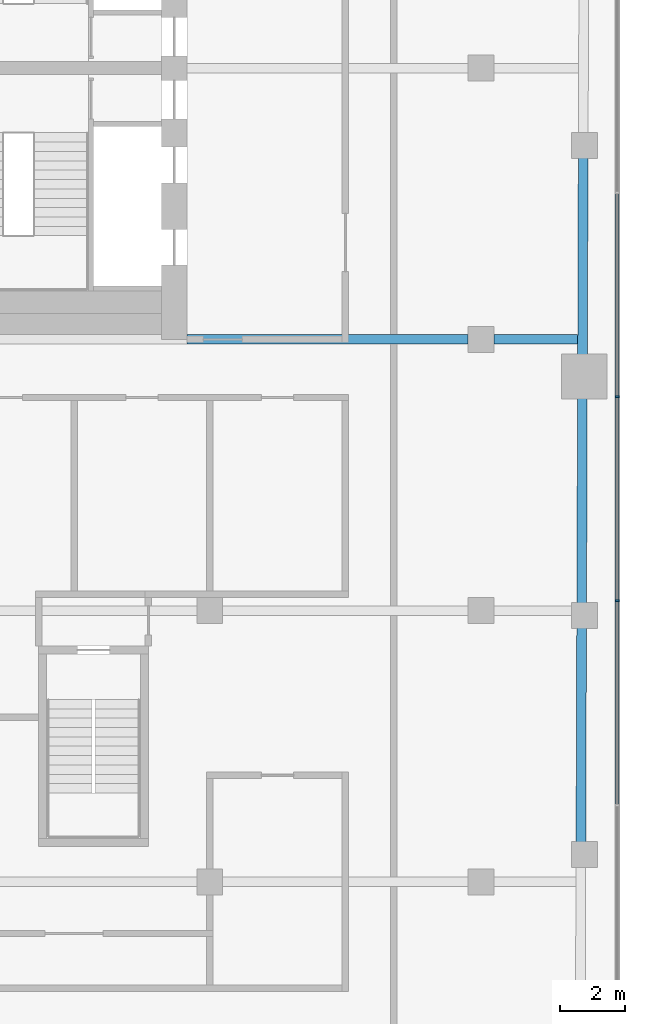
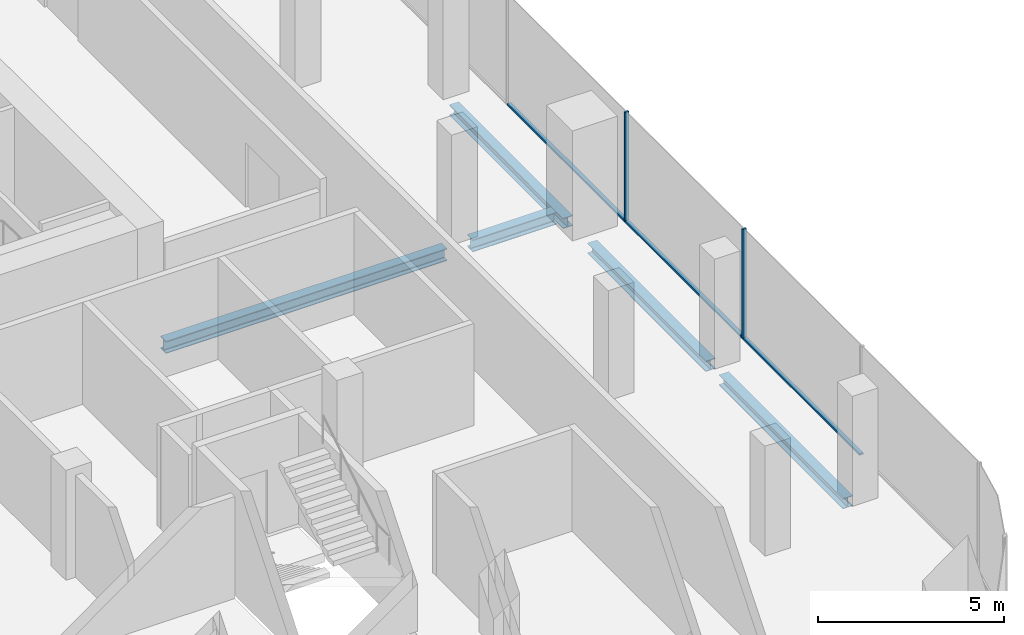
# One storey, part 7 of 20: 5 beams, 5 members, 1 element without a shape of its own.
"""IFC4 building model written with IfcOpenShell, lengths in metres."""

from ifc_helpers import new_model, si_unit, direction, frame, origin, origin_2d, place, context, subcontext, project, spatial, rectangle, i_section, extrude, material, layer, layer_set, material_profile, profile_set, type_object, element, aggregate, save


model = new_model("IFC4")

# Units and contexts
model_context = context("Model", 3, precision=1e-05, world=origin(), true_north=direction((0.0, 1.0)))
body_context = subcontext(model_context, "Body", "Model", "MODEL_VIEW")
ifc_project = project(units=[si_unit("LENGTHUNIT", "METRE"), si_unit("AREAUNIT", "SQUARE_METRE"), si_unit("VOLUMEUNIT", "CUBIC_METRE"), si_unit("PLANEANGLEUNIT", "RADIAN"), si_unit("MASSUNIT", "GRAM", prefix="KILO")], contexts=[model_context])

# Site, building, storey
site_placement = place(None, origin())
site = spatial("IfcSite", under=ifc_project, at=site_placement, CompositionType="ELEMENT")
building_placement = place(site_placement, origin())
building = spatial("IfcBuilding", under=site, at=building_placement, Name="Marenta Gate Hotel Tower", CompositionType="ELEMENT")
storey_placement = place(building_placement, frame((0.0, 0.0, 216.5)))
storey = spatial("IfcBuildingStorey", under=building, at=storey_placement, Name="L50", CompositionType="ELEMENT", Elevation=216.5)

# Beams
ifc_material_1 = material(Name="Steel S355", Category="steel")
ifc_material_profile_1 = material_profile(ifc_material_1, i_section(OverallWidth=0.300048828125, OverallDepth=0.340087890625, WebThickness=0.011962890625, FlangeThickness=0.021484375, FilletRadius=0.027099609375, at=origin_2d()), Name="HEB 340")
ifc_profile_set_1 = profile_set([ifc_material_profile_1], Name="Steel S355")
beam_type_1 = type_object("IfcBeamType", Name="Edge beam HEB 340", PredefinedType="SPANDREL", material=ifc_profile_set_1)
beam_1_placement = place(storey_placement, frame((24.164306640625, 5.643310546875, -0.429931640625), z_axis=(-0.003303859048, -0.999994542243, 0.0), x_axis=(0.999994542243, -0.003303859048, 0.0)))
element("IfcBeam", 1, at=beam_1_placement, inside=storey, type_object=beam_type_1, Name="L50-EB-24", PredefinedType="SPANDREL", context=body_context, shape_type="SweptSolid", body=[
    extrude(i_section(OverallWidth=0.300048828125, OverallDepth=0.340087890625, WebThickness=0.011962890625, FlangeThickness=0.021484375, FilletRadius=0.027099609375, at=origin_2d()), origin(), (0.0, 0.0, 1.0), 6.13330078125),
])
beam_2_placement = place(storey_placement, frame((24.1396484375, -1.81005859375, -0.429931640625), z_axis=(-0.003328723523, -0.999994459785, 0.0), x_axis=(0.999994459785, -0.003328723523, 0.0)))
element("IfcBeam", 2, at=beam_2_placement, inside=storey, type_object=beam_type_1, Name="L50-EB-25", PredefinedType="SPANDREL", context=body_context, shape_type="SweptSolid", body=[
    extrude(i_section(OverallWidth=0.300048828125, OverallDepth=0.340087890625, WebThickness=0.011962890625, FlangeThickness=0.021484375, FilletRadius=0.027099609375, at=origin_2d()), origin(), (0.0, 0.0, 1.0), 6.380859375),
])
beam_3_placement = place(storey_placement, frame((24.115966796875, -8.910888671875, -0.429931640625), z_axis=(-0.00332539729, -0.999994470851, 0.0), x_axis=(0.999994470851, -0.00332539729, 0.0)))
element("IfcBeam", 3, at=beam_3_placement, inside=storey, type_object=beam_type_1, Name="L50-EB-26", PredefinedType="SPANDREL", context=body_context, shape_type="SweptSolid", body=[
    extrude(i_section(OverallWidth=0.300048828125, OverallDepth=0.340087890625, WebThickness=0.011962890625, FlangeThickness=0.021484375, FilletRadius=0.027099609375, at=origin_2d()), origin(), (0.0, 0.0, 1.0), 6.680908203125),
])
ifc_material_2 = material(Name="Steel S355", Category="steel")
ifc_material_profile_2 = material_profile(ifc_material_2, i_section(OverallWidth=0.300048828125, OverallDepth=0.39990234375, WebThickness=0.013427734375, FlangeThickness=0.02392578125, FilletRadius=0.027099609375, at=origin_2d()), Name="HEB 400")
ifc_profile_set_2 = profile_set([ifc_material_profile_2], Name="Steel S355")
beam_type_2 = type_object("IfcBeamType", Name="Girder HEB 400", PredefinedType="BEAM", material=ifc_profile_set_2)
beam_4_placement = place(storey_placement, frame((11.89990234375, 0.0, -0.4599609375), z_axis=(1.0, 0.0, 0.0), x_axis=(0.0, 1.0, 0.0)))
element("IfcBeam", 4, at=beam_4_placement, inside=storey, type_object=beam_type_2, Name="L50-GD-23", PredefinedType="BEAM", context=body_context, shape_type="SweptSolid", body=[
    extrude(i_section(OverallWidth=0.300048828125, OverallDepth=0.39990234375, WebThickness=0.013427734375, FlangeThickness=0.02392578125, FilletRadius=0.027099609375, at=origin_2d()), origin(), (0.0, 0.0, 1.0), 8.7001953125),
])
beam_5_placement = place(storey_placement, frame((21.39990234375, 0.0, -0.4599609375), z_axis=(1.0, 0.0, 0.0), x_axis=(0.0, 1.0, 0.0)))
element("IfcBeam", 5, at=beam_5_placement, inside=storey, type_object=beam_type_2, Name="L50-GD-24", PredefinedType="BEAM", context=body_context, shape_type="SweptSolid", body=[
    extrude(i_section(OverallWidth=0.300048828125, OverallDepth=0.39990234375, WebThickness=0.013427734375, FlangeThickness=0.02392578125, FilletRadius=0.027099609375, at=origin_2d()), origin(), (0.0, 0.0, 1.0), 2.595703125),
])

# Curtain wall, members
ifc_material_3 = material(Name="Tinted insulated glass in bronze anodised frame", Category="glass")
ifc_layer = layer(ifc_material_3, 0.1201171875)
ifc_layer_set = layer_set([ifc_layer], Name="Tinted insulated glass in bronze anodised frame")
curtain_wall_type = type_object("IfcCurtainWallType", Name="Tower unitised curtain wall CW1", PredefinedType="NOTDEFINED", material=ifc_layer_set)
curtain_wall_placement = place(storey_placement, origin())
curtain_wall = element("IfcCurtainWall", 6, at=curtain_wall_placement, inside=storey, type_object=curtain_wall_type, Name="CW1 run G11", PredefinedType="NOTDEFINED")
ifc_material_4 = material(Name="Bronze anodised aluminium", Category="aluminium")
ifc_material_profile_3 = material_profile(ifc_material_4, rectangle(XDim=0.1201171875, YDim=0.06005859375, at=origin_2d()), Name="Mullion CW1 60x120 bronze anodised aluminium")
ifc_profile_set_3 = profile_set([ifc_material_profile_3], Name="Bronze anodised aluminium")
member_type_1 = type_object("IfcMemberType", Name="Mullion CW1 60x120 bronze anodised aluminium", PredefinedType="MULLION", material=ifc_profile_set_3)
member_1_placement = place(storey_placement, frame((25.214111328125, -8.0986328125, 0.0), z_axis=(0.0, 0.0, 1.0), x_axis=(-1.0, 0.0, 0.0)))
member_1 = element("IfcMember", 7, at=member_1_placement, type_object=member_type_1, Name="CW1 mullion 3", PredefinedType="MULLION", context=body_context, shape_type="SweptSolid", body=[
    extrude(rectangle(XDim=0.1201171875, YDim=0.06005859375, at=origin_2d()), origin(), (0.0, 0.0, 1.0), 3.60009765625),
])
member_2_placement = place(storey_placement, frame((25.214111328125, -1.77587890625, 0.0), z_axis=(0.0, 0.0, 1.0), x_axis=(-1.0, 0.0, 0.0)))
member_2 = element("IfcMember", 8, at=member_2_placement, type_object=member_type_1, Name="CW1 mullion 4", PredefinedType="MULLION", context=body_context, shape_type="SweptSolid", body=[
    extrude(rectangle(XDim=0.1201171875, YDim=0.06005859375, at=origin_2d()), origin(), (0.0, 0.0, 1.0), 3.60009765625),
])
ifc_material_5 = material(Name="Bronze anodised aluminium", Category="aluminium")
ifc_material_profile_4 = material_profile(ifc_material_5, rectangle(XDim=0.1201171875, YDim=0.06005859375, at=origin_2d()), Name="Transom CW1 60x120 bronze anodised aluminium")
ifc_profile_set_4 = profile_set([ifc_material_profile_4], Name="Bronze anodised aluminium")
member_type_2 = type_object("IfcMemberType", Name="Transom CW1 60x120 bronze anodised aluminium", PredefinedType="USERDEFINED", material=ifc_profile_set_4)
member_3_placement = place(storey_placement, frame((25.214111328125, -14.391357421875, 0.030029296875), z_axis=(0.0, 1.0, 0.0), x_axis=(-1.0, 0.0, 0.0)))
member_3 = element("IfcMember", 9, at=member_3_placement, type_object=member_type_2, Name="CW1 transom 2.1", ObjectType="TRANSOM", PredefinedType="USERDEFINED", context=body_context, shape_type="SweptSolid", body=[
    extrude(rectangle(XDim=0.1201171875, YDim=0.06005859375, at=origin_2d()), origin(), (0.0, 0.0, 1.0), 6.2626953125),
])
member_4_placement = place(storey_placement, frame((25.214111328125, -8.068603515625, 0.030029296875), z_axis=(0.0, 1.0, 0.0), x_axis=(-1.0, 0.0, 0.0)))
member_4 = element("IfcMember", 10, at=member_4_placement, type_object=member_type_2, Name="CW1 transom 3.1", ObjectType="TRANSOM", PredefinedType="USERDEFINED", context=body_context, shape_type="SweptSolid", body=[
    extrude(rectangle(XDim=0.1201171875, YDim=0.06005859375, at=origin_2d()), origin(), (0.0, 0.0, 1.0), 6.2626953125),
])
member_5_placement = place(storey_placement, frame((25.214111328125, -1.74609375, 0.030029296875), z_axis=(0.0, 1.0, 0.0), x_axis=(-1.0, 0.0, 0.0)))
member_5 = element("IfcMember", 11, at=member_5_placement, type_object=member_type_2, Name="CW1 transom 4.1", ObjectType="TRANSOM", PredefinedType="USERDEFINED", context=body_context, shape_type="SweptSolid", body=[
    extrude(rectangle(XDim=0.1201171875, YDim=0.06005859375, at=origin_2d()), origin(), (0.0, 0.0, 1.0), 6.2626953125),
])
aggregate(curtain_wall, [member_1, member_2, member_3, member_4, member_5])

save(model, "model.ifc")
